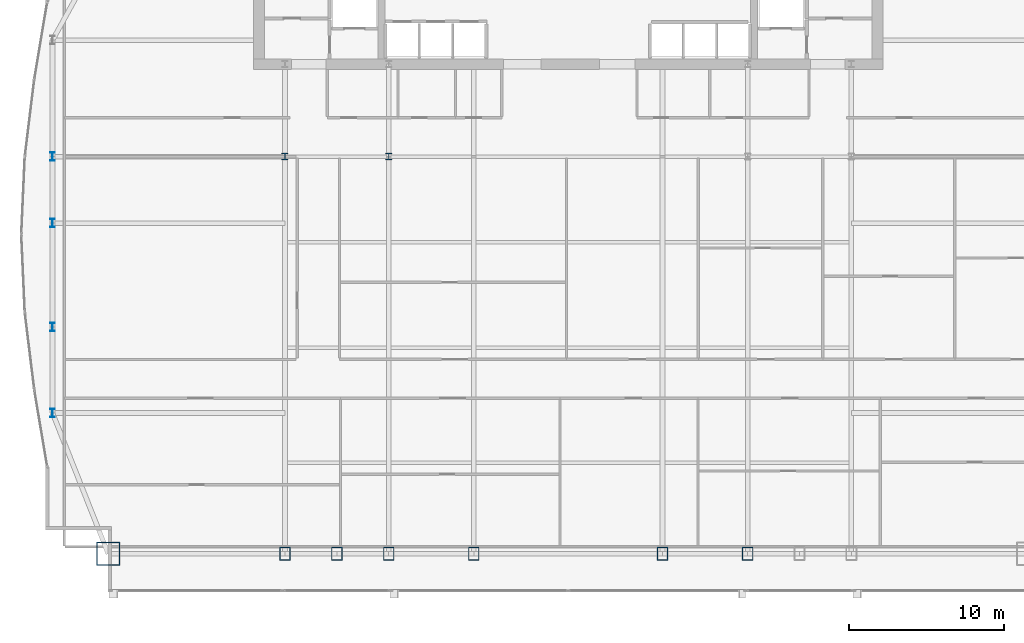
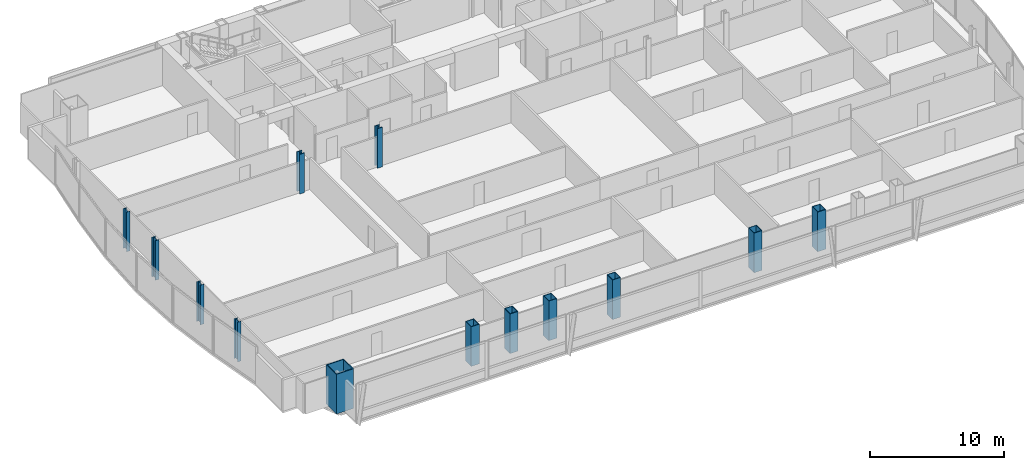
# One storey, part 1 of 31: 13 columns.
"""IFC4 building model written with IfcOpenShell, lengths in metres."""

from ifc_helpers import new_model, si_unit, direction, frame, origin, origin_2d, place, context, subcontext, project, spatial, hollow_rectangle, i_section, extrude, material, material_profile, profile_set, type_object, element, save


model = new_model("IFC4")

# Units and contexts
model_context = context("Model", 3, precision=1e-05, world=origin(), true_north=direction((0.0, 1.0)))
body_context = subcontext(model_context, "Body", "Model", "MODEL_VIEW")
ifc_project = project(units=[si_unit("LENGTHUNIT", "METRE"), si_unit("AREAUNIT", "SQUARE_METRE"), si_unit("VOLUMEUNIT", "CUBIC_METRE"), si_unit("PLANEANGLEUNIT", "RADIAN"), si_unit("MASSUNIT", "GRAM", prefix="KILO")], contexts=[model_context])

# Site, building, storey
site_placement = place(None, origin())
site = spatial("IfcSite", under=ifc_project, at=site_placement, CompositionType="ELEMENT")
building_placement = place(site_placement, origin())
building = spatial("IfcBuilding", under=site, at=building_placement, Name="Khoronbel Lancet Exchange", CompositionType="ELEMENT")
storey_placement = place(building_placement, frame((0.0, 0.0, 121.800048828125)))
storey = spatial("IfcBuildingStorey", under=building, at=storey_placement, Name="L29", CompositionType="ELEMENT", Elevation=121.800048828125)

# Columns
ifc_material_1 = material(Name="Steel S460", Category="steel")
ifc_material_profile_1 = material_profile(ifc_material_1, hollow_rectangle(XDim=0.699951171875, YDim=0.85009765625, WallThickness=0.050048828125, at=origin_2d()), Name="BOX 850x700x50")
ifc_profile_set_1 = profile_set([ifc_material_profile_1], Name="Steel S460")
column_type_1 = type_object("IfcColumnType", Name="COL-EC2", PredefinedType="COLUMN", material=ifc_profile_set_1)
for number, where, z_axis, x_axis, name in (
    (1, (18.22509765625, 10.14990234375, 0.0), (0.0, 0.0, 1.0), (1.0, 0.0, 0.0), "Structural column SC-W1 L29"),
    (2, (21.5625, 10.14990234375, 0.0), (0.0, 0.0, 1.0), (1.0, 0.0, 0.0), "Structural column SC-WM L29"),
    (3, (24.89990234375, 10.14990234375, 0.0), (0.0, 0.0, 1.0), (1.0, 0.0, 0.0), "Structural column SC-W2 L29"),
    (4, (30.375, 10.14990234375, 0.0), (0.0, 0.0, 1.0), (1.0, 0.0, 0.0), "Structural column SC-C1 L29"),
    (5, (42.52490234375, 10.14990234375, 0.0), (0.0, 0.0, 1.0), (1.0, 0.0, 0.0), "Structural column SC-C2 L29"),
    (6, (48.0, 10.14990234375, 0.0), (0.0, 0.0, 1.0), (1.0, 0.0, 0.0), "Structural column SC-E1 L29"),
):
    element("IfcColumn", number, at=place(storey_placement, frame(where, z_axis=z_axis, x_axis=x_axis)), inside=storey, type_object=column_type_1, Name=name, PredefinedType="COLUMN", context=body_context, shape_type="SweptSolid", body=[
        extrude(hollow_rectangle(XDim=0.699951171875, YDim=0.85009765625, WallThickness=0.050048828125, at=origin_2d()), origin(), (0.0, 0.0, 1.0), 3.599853515625),
    ])
ifc_material_profile_2 = material_profile(ifc_material_1, i_section(OverallWidth=0.416015625, OverallDepth=0.446044921875, WebThickness=0.0390625, FlangeThickness=0.062744140625, at=origin_2d()), Name="HD 400x509")
ifc_profile_set_2 = profile_set([ifc_material_profile_2], Name="Steel S460")
column_type_2 = type_object("IfcColumnType", Name="COL-IC2", PredefinedType="COLUMN", material=ifc_profile_set_2)
for number, where, z_axis, x_axis, name in (
    (7, (18.22509765625, 35.699951171875, 0.0), (0.0, 0.0, 1.0), (1.0, 0.0, 0.0), "Spine gravity column TC1 L29"),
    (8, (24.89990234375, 35.699951171875, 0.0), (0.0, 0.0, 1.0), (1.0, 0.0, 0.0), "Spine gravity column TC2 L29"),
):
    element("IfcColumn", number, at=place(storey_placement, frame(where, z_axis=z_axis, x_axis=x_axis)), inside=storey, type_object=column_type_2, Name=name, PredefinedType="COLUMN", context=body_context, shape_type="SweptSolid", body=[
        extrude(i_section(OverallWidth=0.416015625, OverallDepth=0.446044921875, WebThickness=0.0390625, FlangeThickness=0.062744140625, at=origin_2d()), origin(), (0.0, 0.0, 1.0), 3.599853515625),
    ])
ifc_material_2 = material(Name="Steel S355", Category="steel")
ifc_material_profile_3 = material_profile(ifc_material_2, i_section(OverallWidth=0.300048828125, OverallDepth=0.550048828125, WebThickness=0.014892578125, FlangeThickness=0.029052734375, at=origin_2d()), Name="HEB 550")
ifc_profile_set_3 = profile_set([ifc_material_profile_3], Name="Steel S355")
column_type_3 = type_object("IfcColumnType", Name="COL-LC1", PredefinedType="COLUMN", material=ifc_profile_set_3)
for number, where, z_axis, x_axis, name in (
    (9, (3.27001953125, 19.199951171875, 0.0), (0.0, 0.0, 1.0), (1.0, 0.0, 0.0), "Structural column WC-1 L29"),
    (10, (3.27001953125, 24.75, 0.0), (0.0, 0.0, 1.0), (1.0, 0.0, 0.0), "Structural column WC-2 L29"),
    (11, (3.27001953125, 31.425048828125, 0.0), (0.0, 0.0, 1.0), (1.0, 0.0, 0.0), "Structural column WC-M L29"),
    (12, (3.27001953125, 35.699951171875, 0.0), (0.0, 0.0, 1.0), (1.0, 0.0, 0.0), "Structural column WC-3 L29"),
):
    element("IfcColumn", number, at=place(storey_placement, frame(where, z_axis=z_axis, x_axis=x_axis)), inside=storey, type_object=column_type_3, Name=name, PredefinedType="COLUMN", context=body_context, shape_type="SweptSolid", body=[
        extrude(i_section(OverallWidth=0.300048828125, OverallDepth=0.550048828125, WebThickness=0.014892578125, FlangeThickness=0.029052734375, at=origin_2d()), origin(), (0.0, 0.0, 1.0), 3.599853515625),
    ])
ifc_material_profile_4 = material_profile(ifc_material_1, hollow_rectangle(XDim=1.5, YDim=1.5, WallThickness=0.070068359375, at=origin_2d()), Name="BOX 1500x1500x70")
ifc_profile_set_4 = profile_set([ifc_material_profile_4], Name="Steel S460")
column_type_4 = type_object("IfcColumnType", Name="COL-MC3", PredefinedType="COLUMN", material=ifc_profile_set_4)
column_placement = place(storey_placement, frame((6.85009765625, 10.14990234375, 0.0), z_axis=(0.0, 0.0, 1.0), x_axis=(1.0, 0.0, 0.0)))
element("IfcColumn", 13, at=column_placement, inside=storey, type_object=column_type_4, Name="Structural column MC-SW L29", PredefinedType="COLUMN", context=body_context, shape_type="SweptSolid", body=[
    extrude(hollow_rectangle(XDim=1.5, YDim=1.5, WallThickness=0.070068359375, at=origin_2d()), origin(), (0.0, 0.0, 1.0), 3.599853515625),
])

save(model, "model.ifc")
